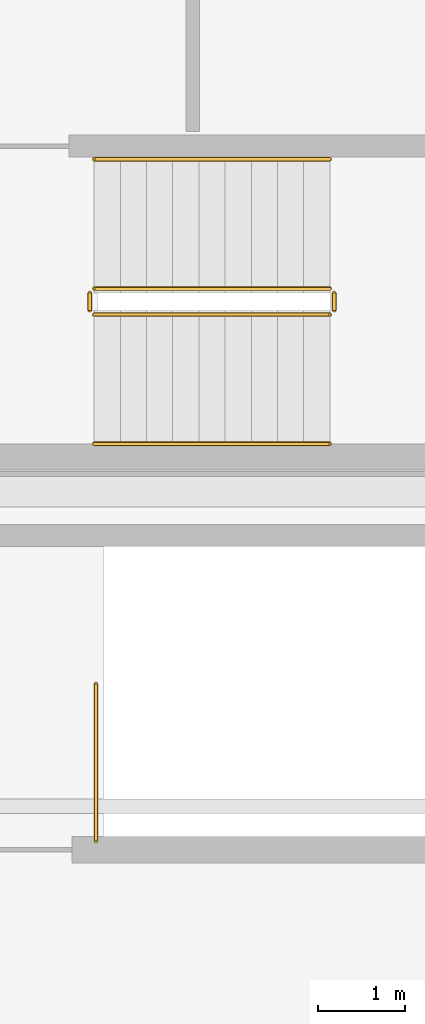
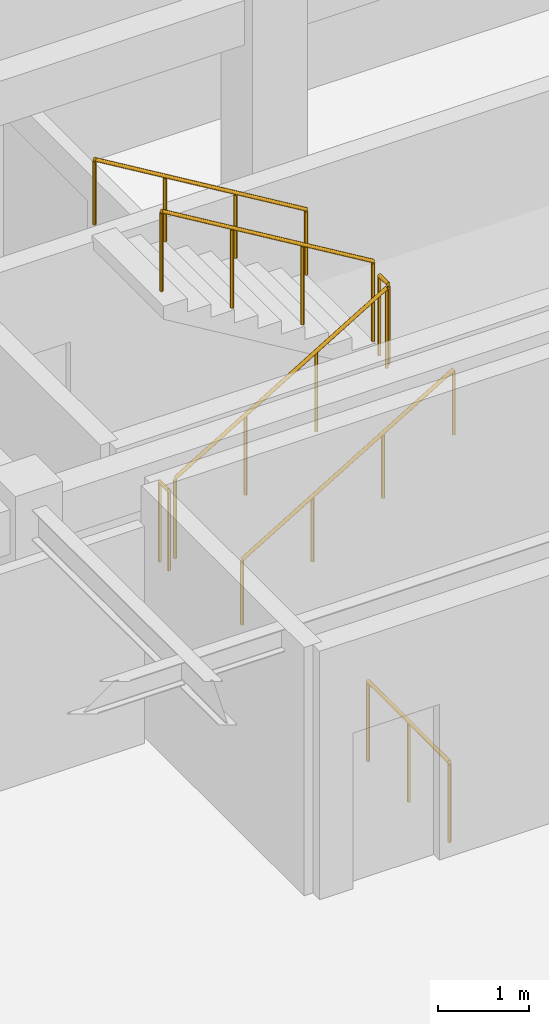
# One storey, part 72 of 73: 7 railings.
"""IFC4 building model written with IfcOpenShell, lengths in metres."""

from ifc_helpers import new_model, si_unit, direction, frame, origin, origin_2d, place, context, subcontext, project, spatial, circle, extrude, material, layer, layer_set, type_object, element, save


model = new_model("IFC4")

# Units and contexts
model_context = context("Model", 3, precision=1e-05, world=origin(), true_north=direction((0.0, 1.0)))
body_context = subcontext(model_context, "Body", "Model", "MODEL_VIEW")
ifc_project = project(units=[si_unit("LENGTHUNIT", "METRE"), si_unit("AREAUNIT", "SQUARE_METRE"), si_unit("VOLUMEUNIT", "CUBIC_METRE"), si_unit("PLANEANGLEUNIT", "RADIAN"), si_unit("MASSUNIT", "GRAM", prefix="KILO")], contexts=[model_context])

# Site, building, storey
site_placement = place(None, origin())
site = spatial("IfcSite", under=ifc_project, at=site_placement, CompositionType="ELEMENT")
building_placement = place(site_placement, origin())
building = spatial("IfcBuilding", under=site, at=building_placement, Name="Carrowvane Square Congress Hotel", CompositionType="ELEMENT")
storey_placement = place(building_placement, frame((0.0, 0.0, 19.199951171875)))
storey = spatial("IfcBuildingStorey", under=building, at=storey_placement, Name="L04", CompositionType="ELEMENT", Elevation=19.199951171875)

# Railings
ifc_material_1 = material(Name="Stainless steel 316", Category="steel")
ifc_layer_1 = layer(ifc_material_1, 0.048095703125)
ifc_layer_set_1 = layer_set([ifc_layer_1], Name="Stainless steel 316")
railing_type_1 = type_object("IfcRailingType", Name="RLG-HR-900", PredefinedType="HANDRAIL", material=ifc_layer_set_1)
railing_1_placement = place(storey_placement, frame((137.080078125, 92.35009765625, 0.179931640625)))
element("IfcRailing", 1, at=railing_1_placement, inside=storey, type_object=railing_type_1, Name="L04 ST12 stair handrail 1", PredefinedType="HANDRAIL", context=body_context, shape_type="SweptSolid", body=[
    extrude(circle(Radius=0.02392578125, at=origin_2d()), frame((0.0, 0.0, 0.8759765625), z_axis=(0.857472400752, 0.0, 0.514529962148), x_axis=(0.0, 1.0, 0.0)), (0.0, 0.0, 1.0), 3.148681640625),
    extrude(circle(Radius=0.02099609375, at=origin_2d()), origin(), (0.0, 0.0, 1.0), 0.851806640625),
    extrude(circle(Radius=0.02099609375, at=origin_2d()), frame((0.89990234375, 0.0, 0.5400390625)), (0.0, 0.0, 1.0), 0.851806640625),
    extrude(circle(Radius=0.02099609375, at=origin_2d()), frame((1.800048828125, 0.0, 1.080078125)), (0.0, 0.0, 1.0), 0.851806640625),
    extrude(circle(Radius=0.02099609375, at=origin_2d()), frame((2.699951171875, 0.0, 1.6201171875)), (0.0, 0.0, 1.0), 0.851806640625),
])
railing_2_placement = place(storey_placement, frame((139.780029296875, 95.610107421875, 1.97998046875)))
element("IfcRailing", 2, at=railing_2_placement, inside=storey, type_object=railing_type_1, Name="L04 ST12 stair handrail 2", PredefinedType="HANDRAIL", context=body_context, shape_type="SweptSolid", body=[
    extrude(circle(Radius=0.02392578125, at=origin_2d()), frame((0.0, 0.0, 0.8759765625), z_axis=(-0.857472400752, 0.0, 0.514529962148), x_axis=(0.0, -1.0, 0.0)), (0.0, 0.0, 1.0), 3.148681640625),
    extrude(circle(Radius=0.02099609375, at=origin_2d()), origin(), (0.0, 0.0, 1.0), 0.851806640625),
    extrude(circle(Radius=0.02099609375, at=origin_2d()), frame((-0.89990234375, 0.0, 0.5400390625)), (0.0, 0.0, 1.0), 0.851806640625),
    extrude(circle(Radius=0.02099609375, at=origin_2d()), frame((-1.800048828125, 0.0, 1.080078125)), (0.0, 0.0, 1.0), 0.851806640625),
    extrude(circle(Radius=0.02099609375, at=origin_2d()), frame((-2.699951171875, 0.0, 1.6201171875)), (0.0, 0.0, 1.0), 0.851806640625),
])
ifc_material_2 = material(Name="Galvanised steel", Category="steel")
ifc_layer_2 = layer(ifc_material_2, 0.048095703125)
ifc_layer_set_2 = layer_set([ifc_layer_2], Name="Galvanised steel")
railing_type_2 = type_object("IfcRailingType", Name="RLG-STG-1100", PredefinedType="GUARDRAIL", material=ifc_layer_set_2)
railing_3_placement = place(storey_placement, frame((137.10009765625, 87.800048828125, 0.0)))
element("IfcRailing", 3, at=railing_3_placement, inside=storey, type_object=railing_type_2, Name="L04 ST8 top well guard 1", PredefinedType="GUARDRAIL", context=body_context, shape_type="SweptSolid", body=[
    extrude(circle(Radius=0.02392578125, at=origin_2d()), frame((0.0, 0.0, 1.076171875), z_axis=(0.0, 1.0, 0.0), x_axis=(-1.0, 0.0, 0.0)), (0.0, 0.0, 1.0), 1.800048828125),
    extrude(circle(Radius=0.02099609375, at=origin_2d()), origin(), (0.0, 0.0, 1.0), 1.052001953125),
    extrude(circle(Radius=0.02099609375, at=origin_2d()), frame((0.0, 0.89990234375, 0.0)), (0.0, 0.0, 1.0), 1.052001953125),
    extrude(circle(Radius=0.02099609375, at=origin_2d()), frame((0.0, 1.800048828125, 0.0)), (0.0, 0.0, 1.0), 1.052001953125),
])
railing_4_placement = place(storey_placement, frame((137.080078125, 93.830078125, 0.179931640625)))
element("IfcRailing", 4, at=railing_4_placement, inside=storey, type_object=railing_type_2, Name="L04 ST12 stair guard 1", PredefinedType="GUARDRAIL", context=body_context, shape_type="SweptSolid", body=[
    extrude(circle(Radius=0.02392578125, at=origin_2d()), frame((0.0, 0.0, 1.076171875), z_axis=(0.857472400752, 0.0, 0.514529962148), x_axis=(0.0, 1.0, 0.0)), (0.0, 0.0, 1.0), 3.148681640625),
    extrude(circle(Radius=0.02099609375, at=origin_2d()), origin(), (0.0, 0.0, 1.0), 1.052001953125),
    extrude(circle(Radius=0.02099609375, at=origin_2d()), frame((0.89990234375, 0.0, 0.5400390625)), (0.0, 0.0, 1.0), 1.052001953125),
    extrude(circle(Radius=0.02099609375, at=origin_2d()), frame((1.800048828125, 0.0, 1.080078125)), (0.0, 0.0, 1.0), 1.052001953125),
    extrude(circle(Radius=0.02099609375, at=origin_2d()), frame((2.699951171875, 0.0, 1.6201171875)), (0.0, 0.0, 1.0), 1.052001953125),
])
railing_5_placement = place(storey_placement, frame((139.830078125, 93.8798828125, 1.800048828125)))
element("IfcRailing", 5, at=railing_5_placement, inside=storey, type_object=railing_type_2, Name="L04 ST12 stair guard 2", PredefinedType="GUARDRAIL", context=body_context, shape_type="SweptSolid", body=[
    extrude(circle(Radius=0.02392578125, at=origin_2d()), frame((0.0, 0.0, 1.076171875), z_axis=(0.0, 1.0, 0.0), x_axis=(-1.0, 0.0, 0.0)), (0.0, 0.0, 1.0), 0.2001953125),
    extrude(circle(Radius=0.02099609375, at=origin_2d()), origin(), (0.0, 0.0, 1.0), 1.052001953125),
    extrude(circle(Radius=0.02099609375, at=origin_2d()), frame((0.0, 0.2001953125, 0.0)), (0.0, 0.0, 1.0), 1.052001953125),
])
railing_6_placement = place(storey_placement, frame((139.780029296875, 94.1298828125, 1.97998046875)))
element("IfcRailing", 6, at=railing_6_placement, inside=storey, type_object=railing_type_2, Name="L04 ST12 stair guard 3", PredefinedType="GUARDRAIL", context=body_context, shape_type="SweptSolid", body=[
    extrude(circle(Radius=0.02392578125, at=origin_2d()), frame((0.0, 0.0, 1.076171875), z_axis=(-0.857472400752, 0.0, 0.514529962148), x_axis=(0.0, -1.0, 0.0)), (0.0, 0.0, 1.0), 3.148681640625),
    extrude(circle(Radius=0.02099609375, at=origin_2d()), origin(), (0.0, 0.0, 1.0), 1.052001953125),
    extrude(circle(Radius=0.02099609375, at=origin_2d()), frame((-0.89990234375, 0.0, 0.5400390625)), (0.0, 0.0, 1.0), 1.052001953125),
    extrude(circle(Radius=0.02099609375, at=origin_2d()), frame((-1.800048828125, 0.0, 1.080078125)), (0.0, 0.0, 1.0), 1.052001953125),
    extrude(circle(Radius=0.02099609375, at=origin_2d()), frame((-2.699951171875, 0.0, 1.6201171875)), (0.0, 0.0, 1.0), 1.052001953125),
])
railing_7_placement = place(storey_placement, frame((137.030029296875, 93.8798828125, 0.0)))
element("IfcRailing", 7, at=railing_7_placement, inside=storey, type_object=railing_type_2, Name="L04 ST12 stair guard 4", PredefinedType="GUARDRAIL", context=body_context, shape_type="SweptSolid", body=[
    extrude(circle(Radius=0.02392578125, at=origin_2d()), frame((0.0, 0.0, 1.076171875), z_axis=(0.0, 1.0, 0.0), x_axis=(-1.0, 0.0, 0.0)), (0.0, 0.0, 1.0), 0.2001953125),
    extrude(circle(Radius=0.02099609375, at=origin_2d()), origin(), (0.0, 0.0, 1.0), 1.052001953125),
    extrude(circle(Radius=0.02099609375, at=origin_2d()), frame((0.0, 0.2001953125, 0.0)), (0.0, 0.0, 1.0), 1.052001953125),
])

save(model, "model.ifc")
